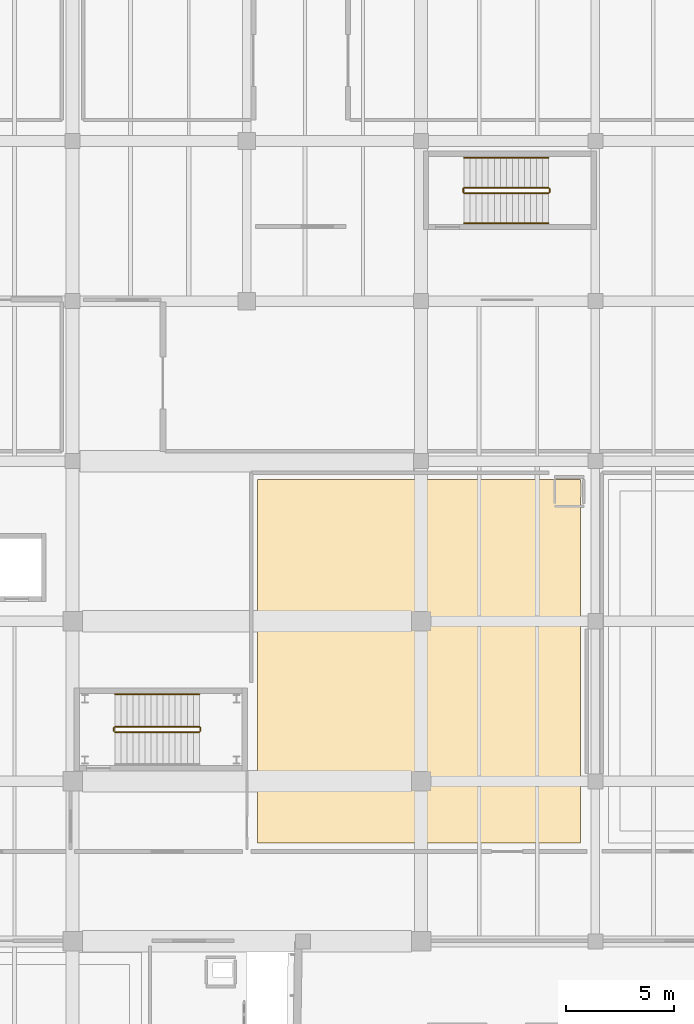
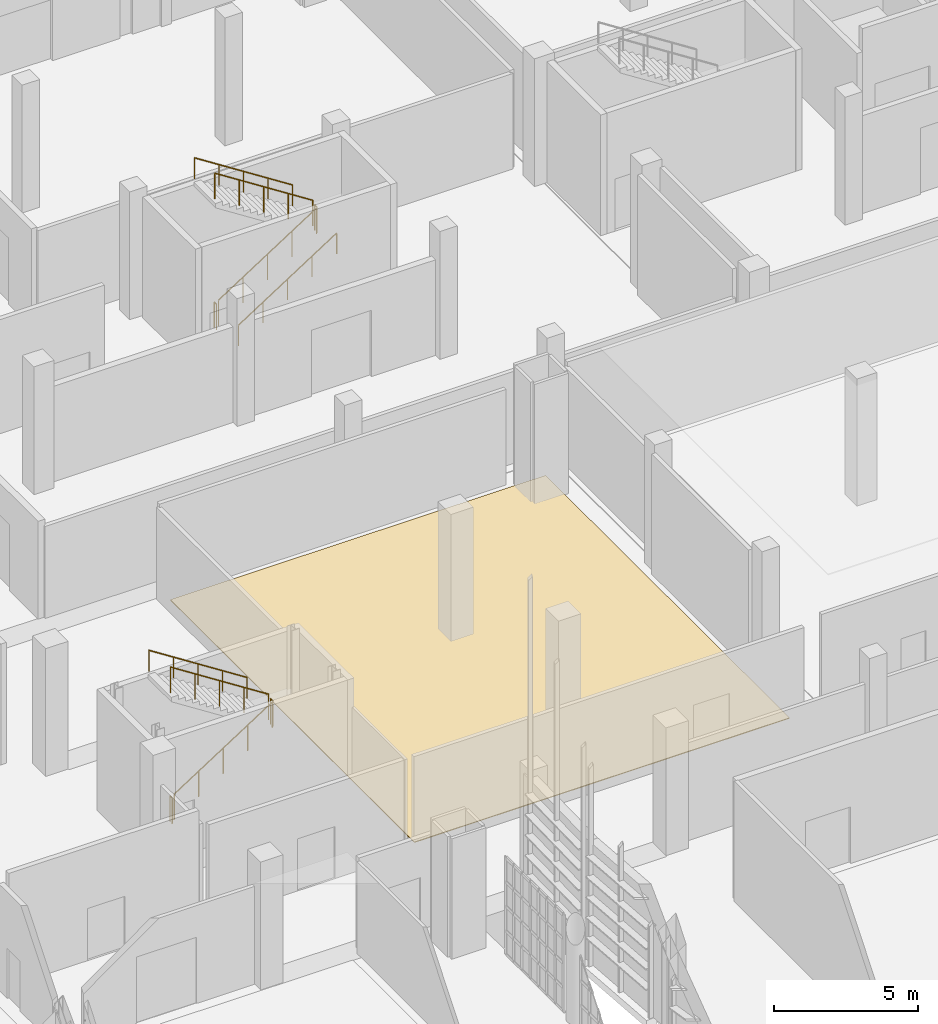
# One storey, part 368 of 372: 11 railings, 1 covering.
"""IFC4 building model written with IfcOpenShell, lengths in metres."""

from ifc_helpers import new_model, si_unit, direction, frame, origin, origin_2d, place, context, subcontext, project, spatial, polyline, circle, outline, extrude, material, layer, layer_set, type_object, element, save


model = new_model("IFC4")

# Units and contexts
model_context = context("Model", 3, precision=1e-05, world=origin(), true_north=direction((0.0, 1.0)))
body_context = subcontext(model_context, "Body", "Model", "MODEL_VIEW")
ifc_project = project(units=[si_unit("LENGTHUNIT", "METRE"), si_unit("AREAUNIT", "SQUARE_METRE"), si_unit("VOLUMEUNIT", "CUBIC_METRE"), si_unit("PLANEANGLEUNIT", "RADIAN"), si_unit("MASSUNIT", "GRAM", prefix="KILO")], contexts=[model_context])

# Site, building, storey
site_placement = place(None, origin())
site = spatial("IfcSite", under=ifc_project, at=site_placement, CompositionType="ELEMENT")
building_placement = place(site_placement, origin())
building = spatial("IfcBuilding", under=site, at=building_placement, Name="Kaelora Sail Theatre", CompositionType="ELEMENT")
storey_placement = place(building_placement, origin())
storey = spatial("IfcBuildingStorey", under=building, at=storey_placement, Name="L00", CompositionType="ELEMENT", Elevation=0.0)

# Covering
ifc_material_1 = material(Name="Polished basalt-terrazzo foyer flooring", Category="masonry")
ifc_layer = layer(ifc_material_1, 0.031982421875)
ifc_layer_set = layer_set([ifc_layer], Name="Polished basalt-terrazzo foyer flooring")
covering_type = type_object("IfcCoveringType", Name="ARC-COV-FLR-TRZ-32", PredefinedType="FLOORING", material=ifc_layer_set)
covering_placement = place(storey_placement, origin())
element("IfcCovering", 1, at=covering_placement, inside=storey, type_object=covering_type, Name="Architectural flooring L00-FOY-EXH", PredefinedType="FLOORING", context=body_context, shape_type="SweptSolid", body=[
    extrude(outline(polyline([(74.89990234375, 65.60009765625), (89.89990234375, 65.60009765625), (89.89990234375, 82.5), (74.89990234375, 82.5), (74.89990234375, 65.60009765625)])), origin(), (0.0, 0.0, 1.0), 0.031982421875),
])

# Railings
ifc_material_2 = material(Name="Painted steel and laminated safety glass guard", Category="steel")
railing_type_1 = type_object("IfcRailingType", Name="ARC-RL-GRD", PredefinedType="GUARDRAIL", material=ifc_material_2)
railing_1_placement = place(storey_placement, frame((84.5, 95.800048828125, 0.179931640625)))
element("IfcRailing", 2, at=railing_1_placement, inside=storey, type_object=railing_type_1, Name="L00 ST-K3 stair guard 1", PredefinedType="GUARDRAIL", context=body_context, shape_type="SweptSolid", body=[
    extrude(circle(Radius=0.02392578125, at=origin_2d()), frame((0.0, 0.0, 1.076171875), z_axis=(0.841171666519, 0.0, 0.540768182723), x_axis=(0.0, 1.0, 0.0)), (0.0, 0.0, 1.0), 4.66015625),
    extrude(circle(Radius=0.02099609375, at=origin_2d()), origin(), (0.0, 0.0, 1.0), 1.052001953125),
    extrude(circle(Radius=0.02099609375, at=origin_2d()), frame((0.97998046875, 0.0, 0.6298828125)), (0.0, 0.0, 1.0), 1.052001953125),
    extrude(circle(Radius=0.02099609375, at=origin_2d()), frame((1.9599609375, 0.0, 1.260009765625)), (0.0, 0.0, 1.0), 1.052001953125),
    extrude(circle(Radius=0.02099609375, at=origin_2d()), frame((2.93994140625, 0.0, 1.89013671875)), (0.0, 0.0, 1.0), 1.052001953125),
    extrude(circle(Radius=0.02099609375, at=origin_2d()), frame((3.919921875, 0.0, 2.52001953125)), (0.0, 0.0, 1.0), 1.052001953125),
])
railing_2_placement = place(storey_placement, frame((88.469970703125, 95.85009765625, 2.699951171875)))
element("IfcRailing", 3, at=railing_2_placement, inside=storey, type_object=railing_type_1, Name="L00 ST-K3 stair guard 2", PredefinedType="GUARDRAIL", context=body_context, shape_type="SweptSolid", body=[
    extrude(circle(Radius=0.02392578125, at=origin_2d()), frame((0.0, 0.0, 1.076171875), z_axis=(0.0, 1.0, 0.0), x_axis=(-1.0, 0.0, 0.0)), (0.0, 0.0, 1.0), 0.14990234375),
    extrude(circle(Radius=0.02099609375, at=origin_2d()), origin(), (0.0, 0.0, 1.0), 1.052001953125),
    extrude(circle(Radius=0.02099609375, at=origin_2d()), frame((0.0, 0.14990234375, 0.0)), (0.0, 0.0, 1.0), 1.052001953125),
])
railing_3_placement = place(storey_placement, frame((88.419921875, 96.050048828125, 2.8798828125)))
element("IfcRailing", 4, at=railing_3_placement, inside=storey, type_object=railing_type_1, Name="L00 ST-K3 stair guard 3", PredefinedType="GUARDRAIL", context=body_context, shape_type="SweptSolid", body=[
    extrude(circle(Radius=0.02392578125, at=origin_2d()), frame((0.0, 0.0, 1.076171875), z_axis=(-0.841171666519, 0.0, 0.540768182723), x_axis=(0.0, -1.0, 0.0)), (0.0, 0.0, 1.0), 4.66015625),
    extrude(circle(Radius=0.02099609375, at=origin_2d()), origin(), (0.0, 0.0, 1.0), 1.052001953125),
    extrude(circle(Radius=0.02099609375, at=origin_2d()), frame((-0.97998046875, 0.0, 0.6298828125)), (0.0, 0.0, 1.0), 1.052001953125),
    extrude(circle(Radius=0.02099609375, at=origin_2d()), frame((-1.9599609375, 0.0, 1.260009765625)), (0.0, 0.0, 1.0), 1.052001953125),
    extrude(circle(Radius=0.02099609375, at=origin_2d()), frame((-2.93994140625, 0.0, 1.89013671875)), (0.0, 0.0, 1.0), 1.052001953125),
    extrude(circle(Radius=0.02099609375, at=origin_2d()), frame((-3.919921875, 0.0, 2.52001953125)), (0.0, 0.0, 1.0), 1.052001953125),
])
railing_4_placement = place(storey_placement, frame((84.449951171875, 95.85009765625, 0.0)))
element("IfcRailing", 5, at=railing_4_placement, inside=storey, type_object=railing_type_1, Name="L00 ST-K3 stair guard 4", PredefinedType="GUARDRAIL", context=body_context, shape_type="SweptSolid", body=[
    extrude(circle(Radius=0.02392578125, at=origin_2d()), frame((0.0, 0.0, 1.076171875), z_axis=(0.0, 1.0, 0.0), x_axis=(-1.0, 0.0, 0.0)), (0.0, 0.0, 1.0), 0.14990234375),
    extrude(circle(Radius=0.02099609375, at=origin_2d()), origin(), (0.0, 0.0, 1.0), 1.052001953125),
    extrude(circle(Radius=0.02099609375, at=origin_2d()), frame((0.0, 0.14990234375, 0.0)), (0.0, 0.0, 1.0), 1.052001953125),
])
railing_5_placement = place(storey_placement, frame((68.27001953125, 70.75, 0.179931640625)))
element("IfcRailing", 6, at=railing_5_placement, inside=storey, type_object=railing_type_1, Name="L00 ST-F1 stair guard 1", PredefinedType="GUARDRAIL", context=body_context, shape_type="SweptSolid", body=[
    extrude(circle(Radius=0.02392578125, at=origin_2d()), frame((0.0, 0.0, 1.076171875), z_axis=(0.841171666519, 0.0, 0.540768182723), x_axis=(0.0, 1.0, 0.0)), (0.0, 0.0, 1.0), 4.66015625),
    extrude(circle(Radius=0.02099609375, at=origin_2d()), origin(), (0.0, 0.0, 1.0), 1.052001953125),
    extrude(circle(Radius=0.02099609375, at=origin_2d()), frame((0.97998046875, 0.0, 0.6298828125)), (0.0, 0.0, 1.0), 1.052001953125),
    extrude(circle(Radius=0.02099609375, at=origin_2d()), frame((1.9599609375, 0.0, 1.260009765625)), (0.0, 0.0, 1.0), 1.052001953125),
    extrude(circle(Radius=0.02099609375, at=origin_2d()), frame((2.93994140625, 0.0, 1.89013671875)), (0.0, 0.0, 1.0), 1.052001953125),
    extrude(circle(Radius=0.02099609375, at=origin_2d()), frame((3.919921875, 0.0, 2.52001953125)), (0.0, 0.0, 1.0), 1.052001953125),
])
railing_6_placement = place(storey_placement, frame((72.239990234375, 70.800048828125, 2.699951171875)))
element("IfcRailing", 7, at=railing_6_placement, inside=storey, type_object=railing_type_1, Name="L00 ST-F1 stair guard 2", PredefinedType="GUARDRAIL", context=body_context, shape_type="SweptSolid", body=[
    extrude(circle(Radius=0.02392578125, at=origin_2d()), frame((0.0, 0.0, 1.076171875), z_axis=(0.0, 1.0, 0.0), x_axis=(-1.0, 0.0, 0.0)), (0.0, 0.0, 1.0), 0.14990234375),
    extrude(circle(Radius=0.02099609375, at=origin_2d()), origin(), (0.0, 0.0, 1.0), 1.052001953125),
    extrude(circle(Radius=0.02099609375, at=origin_2d()), frame((0.0, 0.14990234375, 0.0)), (0.0, 0.0, 1.0), 1.052001953125),
])
railing_7_placement = place(storey_placement, frame((72.18994140625, 71.0, 2.8798828125)))
element("IfcRailing", 8, at=railing_7_placement, inside=storey, type_object=railing_type_1, Name="L00 ST-F1 stair guard 3", PredefinedType="GUARDRAIL", context=body_context, shape_type="SweptSolid", body=[
    extrude(circle(Radius=0.02392578125, at=origin_2d()), frame((0.0, 0.0, 1.076171875), z_axis=(-0.841171666519, 0.0, 0.540768182723), x_axis=(0.0, -1.0, 0.0)), (0.0, 0.0, 1.0), 4.66015625),
    extrude(circle(Radius=0.02099609375, at=origin_2d()), origin(), (0.0, 0.0, 1.0), 1.052001953125),
    extrude(circle(Radius=0.02099609375, at=origin_2d()), frame((-0.97998046875, 0.0, 0.6298828125)), (0.0, 0.0, 1.0), 1.052001953125),
    extrude(circle(Radius=0.02099609375, at=origin_2d()), frame((-1.9599609375, 0.0, 1.260009765625)), (0.0, 0.0, 1.0), 1.052001953125),
    extrude(circle(Radius=0.02099609375, at=origin_2d()), frame((-2.93994140625, 0.0, 1.89013671875)), (0.0, 0.0, 1.0), 1.052001953125),
    extrude(circle(Radius=0.02099609375, at=origin_2d()), frame((-3.919921875, 0.0, 2.52001953125)), (0.0, 0.0, 1.0), 1.052001953125),
])
railing_8_placement = place(storey_placement, frame((68.219970703125, 70.800048828125, 0.0)))
element("IfcRailing", 9, at=railing_8_placement, inside=storey, type_object=railing_type_1, Name="L00 ST-F1 stair guard 4", PredefinedType="GUARDRAIL", context=body_context, shape_type="SweptSolid", body=[
    extrude(circle(Radius=0.02392578125, at=origin_2d()), frame((0.0, 0.0, 1.076171875), z_axis=(0.0, 1.0, 0.0), x_axis=(-1.0, 0.0, 0.0)), (0.0, 0.0, 1.0), 0.14990234375),
    extrude(circle(Radius=0.02099609375, at=origin_2d()), origin(), (0.0, 0.0, 1.0), 1.052001953125),
    extrude(circle(Radius=0.02099609375, at=origin_2d()), frame((0.0, 0.14990234375, 0.0)), (0.0, 0.0, 1.0), 1.052001953125),
])
ifc_material_3 = material(Name="Brushed stainless steel 316L tubular handrail", Category="steel")
railing_type_2 = type_object("IfcRailingType", Name="ARC-RL-HND", PredefinedType="HANDRAIL", material=ifc_material_3)
railing_9_placement = place(storey_placement, frame((84.5, 94.39990234375, 0.179931640625)))
element("IfcRailing", 10, at=railing_9_placement, inside=storey, type_object=railing_type_2, Name="L00 ST-K3 stair handrail 1", PredefinedType="HANDRAIL", context=body_context, shape_type="SweptSolid", body=[
    extrude(circle(Radius=0.02392578125, at=origin_2d()), frame((0.0, 0.0, 0.8759765625), z_axis=(0.841171666519, 0.0, 0.540768182723), x_axis=(0.0, 1.0, 0.0)), (0.0, 0.0, 1.0), 4.66015625),
    extrude(circle(Radius=0.02099609375, at=origin_2d()), origin(), (0.0, 0.0, 1.0), 0.851806640625),
    extrude(circle(Radius=0.02099609375, at=origin_2d()), frame((0.97998046875, 0.0, 0.6298828125)), (0.0, 0.0, 1.0), 0.851806640625),
    extrude(circle(Radius=0.02099609375, at=origin_2d()), frame((1.9599609375, 0.0, 1.260009765625)), (0.0, 0.0, 1.0), 0.851806640625),
    extrude(circle(Radius=0.02099609375, at=origin_2d()), frame((2.93994140625, 0.0, 1.89013671875)), (0.0, 0.0, 1.0), 0.851806640625),
    extrude(circle(Radius=0.02099609375, at=origin_2d()), frame((3.919921875, 0.0, 2.52001953125)), (0.0, 0.0, 1.0), 0.851806640625),
])
for number, where, name in (
    (11, (88.419921875, 97.449951171875, 2.8798828125), "L00 ST-K3 stair handrail 2"),
    (12, (72.18994140625, 72.5, 2.8798828125), "L00 ST-F1 stair handrail 2"),
):
    element("IfcRailing", number, at=place(storey_placement, frame(where)), inside=storey, type_object=railing_type_2, Name=name, PredefinedType="HANDRAIL", context=body_context, shape_type="SweptSolid", body=[
        extrude(circle(Radius=0.02392578125, at=origin_2d()), frame((0.0, 0.0, 0.8759765625), z_axis=(-0.841171666519, 0.0, 0.540768182723), x_axis=(0.0, -1.0, 0.0)), (0.0, 0.0, 1.0), 4.66015625),
        extrude(circle(Radius=0.02099609375, at=origin_2d()), origin(), (0.0, 0.0, 1.0), 0.851806640625),
        extrude(circle(Radius=0.02099609375, at=origin_2d()), frame((-0.97998046875, 0.0, 0.6298828125)), (0.0, 0.0, 1.0), 0.851806640625),
        extrude(circle(Radius=0.02099609375, at=origin_2d()), frame((-1.9599609375, 0.0, 1.260009765625)), (0.0, 0.0, 1.0), 0.851806640625),
        extrude(circle(Radius=0.02099609375, at=origin_2d()), frame((-2.93994140625, 0.0, 1.89013671875)), (0.0, 0.0, 1.0), 0.851806640625),
        extrude(circle(Radius=0.02099609375, at=origin_2d()), frame((-3.919921875, 0.0, 2.52001953125)), (0.0, 0.0, 1.0), 0.851806640625),
    ])

save(model, "model.ifc")
